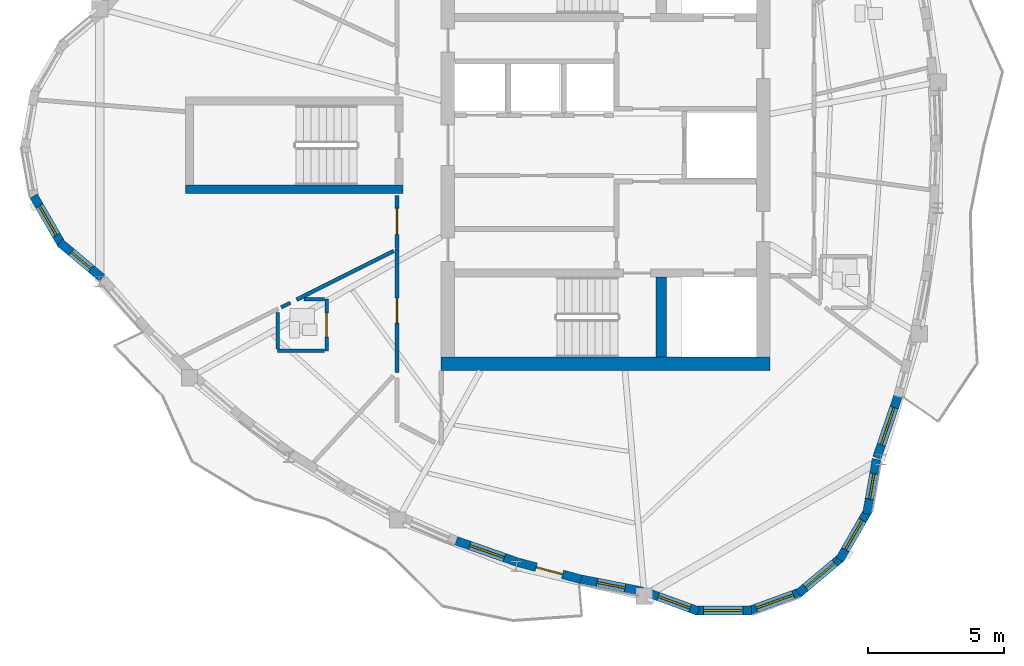
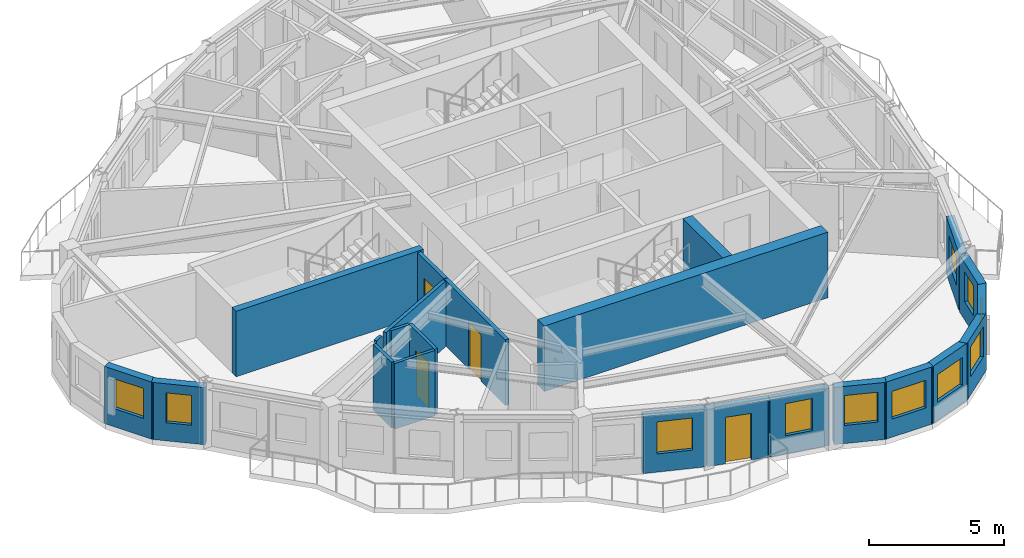
# One storey, part 3 of 12: 23 walls, 11 windows, 4 doors, 15 openings.
"""IFC4 building model written with IfcOpenShell, lengths in metres."""

from ifc_helpers import new_model, si_unit, direction, frame, frame_2d, origin, place, context, subcontext, project, spatial, rectangle, extrude, source, transform, mapped, material, layer, layer_set, type_object, element, fill, save


model = new_model("IFC4")

# Units and contexts
model_context = context("Model", 3, precision=1e-05, world=origin(), true_north=direction((0.0, 1.0)))
body_context = subcontext(model_context, "Body", "Model", "MODEL_VIEW")
ifc_project = project(units=[si_unit("LENGTHUNIT", "METRE"), si_unit("AREAUNIT", "SQUARE_METRE"), si_unit("VOLUMEUNIT", "CUBIC_METRE"), si_unit("PLANEANGLEUNIT", "RADIAN"), si_unit("MASSUNIT", "GRAM", prefix="KILO")], contexts=[model_context])

# Site, building, storey
site_placement = place(None, origin())
site = spatial("IfcSite", under=ifc_project, at=site_placement, CompositionType="ELEMENT")
building_placement = place(site_placement, origin())
building = spatial("IfcBuilding", under=site, at=building_placement, Name="Qafzar Sky-Pleat Residences", CompositionType="ELEMENT")
storey_placement = place(building_placement, frame((0.0, 0.0, 198.800048828125)))
storey = spatial("IfcBuildingStorey", under=building, at=storey_placement, Name="L59", CompositionType="ELEMENT", Elevation=198.800048828125)

# Wall, opening, door
ifc_material_1 = material(Name="Acoustic gypsum plasterboard partition", Category="gypsum")
ifc_layer_1 = layer(ifc_material_1, 0.159912109375)
ifc_layer_set_1 = layer_set([ifc_layer_1], Name="Acoustic gypsum plasterboard partition")
wall_type_1 = type_object("IfcWallType", Name="PART-COR-160", PredefinedType="PARTITIONING", material=ifc_layer_set_1)
wall_1_placement = place(storey_placement, frame((22.679931640625, 17.64111328125, 0.0), z_axis=(0.0, 0.0, 1.0), x_axis=(0.0, 1.0, 0.0)))
wall_1 = element("IfcWall", 1, at=wall_1_placement, inside=storey, type_object=wall_type_1, Name="L59 Partition Wall PART-L59-PW-003", PredefinedType="PARTITIONING", context=body_context, shape_type="SweptSolid", body=[
    extrude(rectangle(XDim=4.539794921875, YDim=0.159912109375, at=frame_2d((2.27001953125, 0.0))), origin(), (0.0, 0.0, 1.0), 2.9599609375),
])
opening_1_placement = place(wall_1_placement, frame((1.81298828125, 0.0, 0.0)))
opening_1 = element("IfcOpeningElement", 2, at=opening_1_placement, cuts=wall_1, Name="Opening ID-04", PredefinedType="OPENING", context=body_context, shape_type="SweptSolid", body=[
    extrude(rectangle(XDim=0.919921875, YDim=2.10009765625, at=frame_2d((0.4599609375, 1.050048828125))), frame((0.0, 0.08984375, 0.0), z_axis=(0.0, -1.0, 0.0), x_axis=(1.0, 0.0, 0.0)), (0.0, 0.0, 1.0), 0.179931640625),
])
ifc_material_2 = material(Name="Timber-faced fire door", Category="wood")
door_type_1 = type_object("IfcDoorType", Name="DR-BED-920", OperationType="NOTDEFINED", PredefinedType="DOOR", material=ifc_material_2)
shared_shape_1 = source(origin(), body_context, "Body", "SweptSolid", [
    extrude(rectangle(XDim=0.919921875, YDim=2.10009765625, at=frame_2d((0.4599609375, 1.050048828125))), frame((0.0, 0.02490234375, 0.0), z_axis=(0.0, -1.0, 0.0), x_axis=(1.0, 0.0, 0.0)), (0.0, 0.0, 1.0), 0.050048828125),
])
door_1_placement = place(opening_1_placement, origin())
door_1 = element("IfcDoor", 3, at=door_1_placement, inside=storey, type_object=door_type_1, Name="L59 Co-Living Bedroom 1 Door", OperationType="SINGLE_SWING_RIGHT", OverallHeight=2.10009765625, OverallWidth=0.919921875, PredefinedType="DOOR", context=body_context, shape_type="MappedRepresentation", body=[
    mapped(shared_shape_1, transform((0.0, 0.0, 0.0), x_axis=(1.0, 0.0, 0.0), y_axis=(0.0, 1.0, 0.0), z_axis=(0.0, 0.0, 1.0), scale=1.0)),
])
fill(opening_1, door_1)

wall_2_placement = place(storey_placement, frame((22.679931640625, 22.196044921875, 0.0), z_axis=(0.0, 0.0, 1.0), x_axis=(0.0, 1.0, 0.0)))
wall_2 = element("IfcWall", 4, at=wall_2_placement, inside=storey, type_object=wall_type_1, Name="L59 Partition Wall PART-L59-PW-011", PredefinedType="PARTITIONING", context=body_context, shape_type="SweptSolid", body=[
    extrude(rectangle(XDim=1.953857421875, YDim=0.159912109375, at=frame_2d((0.97705078125, 0.0))), origin(), (0.0, 0.0, 1.0), 2.9599609375),
])
opening_2_placement = place(wall_2_placement, frame((0.51904296875, 0.0, 0.0)))
opening_2 = element("IfcOpeningElement", 5, at=opening_2_placement, cuts=wall_2, Name="Opening ID-06", PredefinedType="OPENING", context=body_context, shape_type="SweptSolid", body=[
    extrude(rectangle(XDim=0.9599609375, YDim=2.10009765625, at=frame_2d((0.47998046875, 1.050048828125))), frame((0.0, 0.08984375, 0.0), z_axis=(0.0, -1.0, 0.0), x_axis=(1.0, 0.0, 0.0)), (0.0, 0.0, 1.0), 0.179931640625),
])
door_type_2 = type_object("IfcDoorType", Name="DR-STD-960", OperationType="NOTDEFINED", PredefinedType="DOOR", material=ifc_material_2)
shared_shape_2 = source(origin(), body_context, "Body", "SweptSolid", [
    extrude(rectangle(XDim=0.9599609375, YDim=2.10009765625, at=frame_2d((0.47998046875, 1.050048828125))), frame((0.0, 0.02490234375, 0.0), z_axis=(0.0, -1.0, 0.0), x_axis=(1.0, 0.0, 0.0)), (0.0, 0.0, 1.0), 0.050048828125),
])
door_2_placement = place(opening_2_placement, origin())
door_2 = element("IfcDoor", 6, at=door_2_placement, inside=storey, type_object=door_type_2, Name="L59 Wellness Yoga Studio Door", OperationType="SINGLE_SWING_RIGHT", OverallHeight=2.10009765625, OverallWidth=0.9599609375, PredefinedType="DOOR", context=body_context, shape_type="MappedRepresentation", body=[
    mapped(shared_shape_2, transform((0.0, 0.0, 0.0), x_axis=(1.0, 0.0, 0.0), y_axis=(0.0, 1.0, 0.0), z_axis=(0.0, 0.0, 1.0), scale=1.0)),
])
fill(opening_2, door_2)

# Wall
ifc_layer_2 = layer(ifc_material_1, 0.14501953125)
ifc_layer_set_2 = layer_set([ifc_layer_2], Name="Acoustic gypsum plasterboard partition")
wall_type_2 = type_object("IfcWallType", Name="PART-UNIT-145", PredefinedType="PARTITIONING", material=ifc_layer_set_2)
wall_3_placement = place(storey_placement, frame((18.98291015625, 20.31591796875, 0.0), z_axis=(0.0, 0.0, 1.0), x_axis=(0.894366146285, 0.447335664104, 0.0)))
element("IfcWall", 7, at=wall_3_placement, inside=storey, type_object=wall_type_2, Name="L59 Partition Wall PART-L59-PW-024", PredefinedType="PARTITIONING", context=body_context, shape_type="SweptSolid", body=[
    extrude(rectangle(XDim=4.0, YDim=0.14501953125, at=frame_2d((2.0, 0.0))), origin(), (0.0, 0.0, 1.0), 2.9599609375),
])

# Wall, opening, door
ifc_material_3 = material(Name="Moisture-resistant gypsum partition", Category="gypsum")
ifc_layer_3 = layer(ifc_material_3, 0.1298828125)
ifc_layer_set_3 = layer_set([ifc_layer_3], Name="Moisture-resistant gypsum partition")
wall_type_3 = type_object("IfcWallType", Name="PART-WET-130", PredefinedType="PARTITIONING", material=ifc_layer_set_3)
wall_4_placement = place(storey_placement, frame((20.087890625, 18.430908203125, 0.0), z_axis=(0.0, 0.0, 1.0), x_axis=(0.0, 1.0, 0.0)))
wall_4 = element("IfcWall", 8, at=wall_4_placement, inside=storey, type_object=wall_type_3, Name="L59 Partition Wall PART-L59-PW-012", PredefinedType="PARTITIONING", context=body_context, shape_type="SweptSolid", body=[
    extrude(rectangle(XDim=1.900146484375, YDim=0.1298828125, at=frame_2d((0.9501953125, 0.0))), origin(), (0.0, 0.0, 1.0), 2.9599609375),
])
opening_3_placement = place(wall_4_placement, frame((0.510009765625, 0.0, 0.0)))
opening_3 = element("IfcOpeningElement", 9, at=opening_3_placement, cuts=wall_4, Name="Opening ID-07", PredefinedType="OPENING", context=body_context, shape_type="SweptSolid", body=[
    extrude(rectangle(XDim=0.8798828125, YDim=2.050048828125, at=frame_2d((0.43994140625, 1.02490234375))), frame((0.0, 0.074951171875, 0.0), z_axis=(0.0, -1.0, 0.0), x_axis=(1.0, 0.0, 0.0)), (0.0, 0.0, 1.0), 0.14990234375),
])
door_type_3 = type_object("IfcDoorType", Name="DR-WET-880", OperationType="NOTDEFINED", PredefinedType="DOOR", material=ifc_material_2)
shared_shape_3 = source(origin(), body_context, "Body", "SweptSolid", [
    extrude(rectangle(XDim=0.8798828125, YDim=2.050048828125, at=frame_2d((0.43994140625, 1.02490234375))), frame((0.0, 0.02490234375, 0.0), z_axis=(0.0, -1.0, 0.0), x_axis=(1.0, 0.0, 0.0)), (0.0, 0.0, 1.0), 0.050048828125),
])
door_3_placement = place(opening_3_placement, origin())
door_3 = element("IfcDoor", 10, at=door_3_placement, inside=storey, type_object=door_type_3, Name="L59 En-suite Bathroom 1 Door", OperationType="SINGLE_SWING_LEFT", OverallHeight=2.050048828125, OverallWidth=0.8798828125, PredefinedType="DOOR", context=body_context, shape_type="MappedRepresentation", body=[
    mapped(shared_shape_3, transform((0.0, 0.0, 0.0), x_axis=(1.0, 0.0, 0.0), y_axis=(0.0, 1.0, 0.0), z_axis=(0.0, 0.0, 1.0), scale=1.0)),
])
fill(opening_3, door_3)

# Walls
wall_5_placement = place(storey_placement, frame((18.2880859375, 18.430908203125, 0.0), z_axis=(0.0, 0.0, 1.0), x_axis=(1.0, 0.0, 0.0)))
element("IfcWall", 11, at=wall_5_placement, inside=storey, type_object=wall_type_3, Name="L59 Partition Wall PART-L59-PW-034", PredefinedType="PARTITIONING", context=body_context, shape_type="SweptSolid", body=[
    extrude(rectangle(XDim=1.726806640625, YDim=0.1298828125, at=frame_2d((0.86328125, 0.0))), origin(), (0.0, 0.0, 1.0), 2.9599609375),
])
wall_6_placement = place(storey_placement, frame((18.2880859375, 18.50390625, 0.0), z_axis=(0.0, 0.0, 1.0), x_axis=(0.0, 1.0, 0.0)))
element("IfcWall", 12, at=wall_6_placement, inside=storey, type_object=wall_type_3, Name="L59 Partition Wall PART-L59-PW-042", PredefinedType="PARTITIONING", context=body_context, shape_type="SweptSolid", body=[
    extrude(rectangle(XDim=1.343505859375, YDim=0.1298828125, at=frame_2d((0.671875, 0.0))), origin(), (0.0, 0.0, 1.0), 2.9599609375),
])
wall_7_placement = place(storey_placement, frame((19.2529296875, 20.3310546875, 0.0), z_axis=(0.0, 0.0, 1.0), x_axis=(1.0, 0.0, 0.0)))
element("IfcWall", 13, at=wall_7_placement, inside=storey, type_object=wall_type_3, Name="L59 Partition Wall PART-L59-PW-048", PredefinedType="PARTITIONING", context=body_context, shape_type="SweptSolid", body=[
    extrude(rectangle(XDim=0.761962890625, YDim=0.1298828125, at=frame_2d((0.380859375, 0.0))), origin(), (0.0, 0.0, 1.0), 2.9599609375),
])
wall_8_placement = place(storey_placement, frame((18.41748046875, 20.033203125, 0.0), z_axis=(0.0, 0.0, 1.0), x_axis=(0.894427191, 0.4472135955, 0.0)))
element("IfcWall", 14, at=wall_8_placement, inside=storey, type_object=wall_type_3, Name="L59 Partition Wall PART-L59-PW-049", PredefinedType="PARTITIONING", context=body_context, shape_type="SweptSolid", body=[
    extrude(rectangle(XDim=0.377197265625, YDim=0.1298828125, at=frame_2d((0.1884765625, 0.0))), origin(), (0.0, 0.0, 1.0), 2.9599609375),
])

# Wall, opening, window
ifc_material_4 = material(Name="Precast concrete C40/50 with honed Riyadh limestone", Category="concrete")
ifc_layer_4 = layer(ifc_material_4, 0.320068359375)
ifc_layer_set_4 = layer_set([ifc_layer_4], Name="Precast concrete C40/50 with honed Riyadh limestone")
wall_type_4 = type_object("IfcWallType", Name="WALL-EXT-320", PredefinedType="SOLIDWALL", material=ifc_layer_set_4)
wall_9_placement = place(storey_placement, frame((9.309326171875, 24.129150390625, 0.0), z_axis=(0.0, 0.0, 1.0), x_axis=(0.499995423472, -0.866028046028, 0.0)))
wall_9 = element("IfcWall", 15, at=wall_9_placement, inside=storey, type_object=wall_type_4, Name="L59 Limestone Facade Wall 5", PredefinedType="SOLIDWALL", context=body_context, shape_type="SweptSolid", body=[
    extrude(rectangle(XDim=2.09033203125, YDim=0.320068359375, at=frame_2d((1.045166015625, 0.0))), origin(), (0.0, 0.0, 1.0), 2.579833984375),
])
opening_4_placement = place(wall_9_placement, frame((0.420166015625, 0.0, 0.820068359375)))
opening_4 = element("IfcOpeningElement", 16, at=opening_4_placement, cuts=wall_9, Name="Opening WN-11", PredefinedType="OPENING", context=body_context, shape_type="SweptSolid", body=[
    extrude(rectangle(XDim=1.25, YDim=1.35009765625, at=frame_2d((0.625, 0.675048828125))), frame((0.0, 0.169921875, 0.0), z_axis=(0.0, -1.0, 0.0), x_axis=(1.0, 0.0, 0.0)), (0.0, 0.0, 1.0), 0.340087890625),
])
ifc_material_5 = material(Name="Solar-control low-E glass in bronze aluminium frame", Category="glass")
window_type_1 = type_object("IfcWindowType", Name="WIN-11", PartitioningType="SINGLE_PANEL", PredefinedType="WINDOW", material=ifc_material_5)
shared_shape_4 = source(origin(), body_context, "Body", "SweptSolid", [
    extrude(rectangle(XDim=1.25, YDim=1.35009765625, at=frame_2d((0.625, 0.675048828125))), frame((0.0, 0.030029296875, 0.0), z_axis=(0.0, -1.0, 0.0), x_axis=(1.0, 0.0, 0.0)), (0.0, 0.0, 1.0), 0.06005859375),
])
window_1_placement = place(opening_4_placement, origin())
window_1 = element("IfcWindow", 17, at=window_1_placement, inside=storey, type_object=window_type_1, Name="L59 Punched Facade Window 05", OverallHeight=1.35009765625, OverallWidth=1.25, PartitioningType="SINGLE_PANEL", PredefinedType="WINDOW", context=body_context, shape_type="MappedRepresentation", body=[
    mapped(shared_shape_4, transform((0.0, 0.0, 0.0), x_axis=(1.0, 0.0, 0.0), y_axis=(0.0, 1.0, 0.0), z_axis=(0.0, 0.0, 1.0), scale=1.0)),
])
fill(opening_4, window_1)

wall_10_placement = place(storey_placement, frame((10.2705078125, 22.418701171875, 0.0), z_axis=(0.0, 0.0, 1.0), x_axis=(0.766099948115, -0.642721455608, 0.0)))
wall_10 = element("IfcWall", 18, at=wall_10_placement, inside=storey, type_object=wall_type_4, Name="L59 Limestone Facade Wall 6", PredefinedType="SOLIDWALL", context=body_context, shape_type="SweptSolid", body=[
    extrude(rectangle(XDim=2.0322265625, YDim=0.320068359375, at=frame_2d((1.01611328125, 0.0))), origin(), (0.0, 0.0, 1.0), 2.579833984375),
])
opening_5_placement = place(wall_10_placement, frame((0.55126953125, 0.0, 0.820068359375)))
opening_5 = element("IfcOpeningElement", 19, at=opening_5_placement, cuts=wall_10, Name="Opening WN-12", PredefinedType="OPENING", context=body_context, shape_type="SweptSolid", body=[
    extrude(rectangle(XDim=0.949951171875, YDim=1.35009765625, at=frame_2d((0.47509765625, 0.675048828125))), frame((0.0, 0.169921875, 0.0), z_axis=(0.0, -1.0, 0.0), x_axis=(1.0, 0.0, 0.0)), (0.0, 0.0, 1.0), 0.340087890625),
])
window_type_2 = type_object("IfcWindowType", Name="WIN-12", PartitioningType="SINGLE_PANEL", PredefinedType="WINDOW", material=ifc_material_5)
shared_shape_5 = source(origin(), body_context, "Body", "SweptSolid", [
    extrude(rectangle(XDim=0.949951171875, YDim=1.35009765625, at=frame_2d((0.47509765625, 0.675048828125))), frame((0.0, 0.030029296875, 0.0), z_axis=(0.0, -1.0, 0.0), x_axis=(1.0, 0.0, 0.0)), (0.0, 0.0, 1.0), 0.06005859375),
])
window_2_placement = place(opening_5_placement, origin())
window_2 = element("IfcWindow", 20, at=window_2_placement, inside=storey, type_object=window_type_2, Name="L59 Punched Facade Window 06", OverallHeight=1.35009765625, OverallWidth=0.949951171875, PartitioningType="SINGLE_PANEL", PredefinedType="WINDOW", context=body_context, shape_type="MappedRepresentation", body=[
    mapped(shared_shape_5, transform((0.0, 0.0, 0.0), x_axis=(1.0, 0.0, 0.0), y_axis=(0.0, 1.0, 0.0), z_axis=(0.0, 0.0, 1.0), scale=1.0)),
])
fill(opening_5, window_2)

wall_11_placement = place(storey_placement, frame((24.861572265625, 11.4423828125, 0.0), z_axis=(0.0, 0.0, 1.0), x_axis=(0.944124270014, -0.329589688508, 0.0)))
wall_11 = element("IfcWall", 21, at=wall_11_placement, inside=storey, type_object=wall_type_4, Name="L59 Limestone Facade Wall 14", PredefinedType="SOLIDWALL", context=body_context, shape_type="SweptSolid", body=[
    extrude(rectangle(XDim=2.373291015625, YDim=0.320068359375, at=frame_2d((1.1865234375, 0.0))), origin(), (0.0, 0.0, 1.0), 2.579833984375),
])
opening_6_placement = place(wall_11_placement, frame((0.521728515625, 0.0, 0.820068359375)))
opening_6 = element("IfcOpeningElement", 22, at=opening_6_placement, cuts=wall_11, Name="Opening WN-04", PredefinedType="OPENING", context=body_context, shape_type="SweptSolid", body=[
    extrude(rectangle(XDim=1.35009765625, YDim=1.449951171875, at=frame_2d((0.675048828125, 0.72509765625))), frame((0.0, 0.169921875, 0.0), z_axis=(0.0, -1.0, 0.0), x_axis=(1.0, 0.0, 0.0)), (0.0, 0.0, 1.0), 0.340087890625),
])
window_type_3 = type_object("IfcWindowType", Name="WIN-04", PartitioningType="SINGLE_PANEL", PredefinedType="WINDOW", material=ifc_material_5)
shared_shape_6 = source(origin(), body_context, "Body", "SweptSolid", [
    extrude(rectangle(XDim=1.35009765625, YDim=1.449951171875, at=frame_2d((0.675048828125, 0.72509765625))), frame((0.0, 0.030029296875, 0.0), z_axis=(0.0, -1.0, 0.0), x_axis=(1.0, 0.0, 0.0)), (0.0, 0.0, 1.0), 0.06005859375),
])
window_3_placement = place(opening_6_placement, origin())
window_3 = element("IfcWindow", 23, at=window_3_placement, inside=storey, type_object=window_type_3, Name="L59 Punched Facade Window 14", OverallHeight=1.449951171875, OverallWidth=1.35009765625, PartitioningType="SINGLE_PANEL", PredefinedType="WINDOW", context=body_context, shape_type="MappedRepresentation", body=[
    mapped(shared_shape_6, transform((0.0, 0.0, 0.0), x_axis=(1.0, 0.0, 0.0), y_axis=(0.0, 1.0, 0.0), z_axis=(0.0, 0.0, 1.0), scale=1.0)),
])
fill(opening_6, window_3)

# Wall, opening, door
wall_12_placement = place(storey_placement, frame((27.12939453125, 10.65185546875, 0.0), z_axis=(0.0, 0.0, 1.0), x_axis=(0.965456324807, -0.260564934114, 0.0)))
wall_12 = element("IfcWall", 24, at=wall_12_placement, inside=storey, type_object=wall_type_4, Name="L59 Limestone Facade Wall 15", PredefinedType="SOLIDWALL", context=body_context, shape_type="SweptSolid", body=[
    extrude(rectangle(XDim=2.41259765625, YDim=0.320068359375, at=frame_2d((1.206298828125, 0.0))), origin(), (0.0, 0.0, 1.0), 2.579833984375),
])
opening_7_placement = place(wall_12_placement, frame((0.6962890625, 0.0, 0.0)))
opening_7 = element("IfcOpeningElement", 25, at=opening_7_placement, cuts=wall_12, Name="Opening ED-05", PredefinedType="OPENING", context=body_context, shape_type="SweptSolid", body=[
    extrude(rectangle(XDim=1.0, YDim=2.10009765625, at=frame_2d((0.5, 1.050048828125))), frame((0.0, 0.169921875, 0.0), z_axis=(0.0, -1.0, 0.0), x_axis=(1.0, 0.0, 0.0)), (0.0, 0.0, 1.0), 0.340087890625),
])
ifc_material_6 = material(Name="Glazed bronze aluminium door", Category="aluminium")
door_type_4 = type_object("IfcDoorType", Name="DR-BAL-1000", OperationType="NOTDEFINED", PredefinedType="DOOR", material=ifc_material_6)
shared_shape_7 = source(origin(), body_context, "Body", "SweptSolid", [
    extrude(rectangle(XDim=1.0, YDim=2.10009765625, at=frame_2d((0.5, 1.050048828125))), frame((0.0, 0.02490234375, 0.0), z_axis=(0.0, -1.0, 0.0), x_axis=(1.0, 0.0, 0.0)), (0.0, 0.0, 1.0), 0.050048828125),
])
door_4_placement = place(opening_7_placement, origin())
door_4 = element("IfcDoor", 26, at=door_4_placement, inside=storey, type_object=door_type_4, Name="L59 Glazed Balcony Door 3", OperationType="SINGLE_SWING_LEFT", OverallHeight=2.10009765625, OverallWidth=1.0, PredefinedType="DOOR", context=body_context, shape_type="MappedRepresentation", body=[
    mapped(shared_shape_7, transform((0.0, 0.0, 0.0), x_axis=(1.0, 0.0, 0.0), y_axis=(0.0, 1.0, 0.0), z_axis=(0.0, 0.0, 1.0), scale=1.0)),
])
fill(opening_7, door_4)

# Wall, opening, window
wall_13_placement = place(storey_placement, frame((29.373779296875, 10.04296875, 0.0), z_axis=(0.0, 0.0, 1.0), x_axis=(0.981222630784, -0.192878585739, 0.0)))
wall_13 = element("IfcWall", 27, at=wall_13_placement, inside=storey, type_object=wall_type_4, Name="L59 Limestone Facade Wall 16", PredefinedType="SOLIDWALL", context=body_context, shape_type="SweptSolid", body=[
    extrude(rectangle(XDim=2.3935546875, YDim=0.320068359375, at=frame_2d((1.19677734375, 0.0))), origin(), (0.0, 0.0, 1.0), 2.579833984375),
])
opening_8_placement = place(wall_13_placement, frame((0.6767578125, 0.0, 0.820068359375)))
opening_8 = element("IfcOpeningElement", 28, at=opening_8_placement, cuts=wall_13, Name="Opening WN-06", PredefinedType="OPENING", context=body_context, shape_type="SweptSolid", body=[
    extrude(rectangle(XDim=1.050048828125, YDim=1.449951171875, at=frame_2d((0.52490234375, 0.72509765625))), frame((0.0, 0.169921875, 0.0), z_axis=(0.0, -1.0, 0.0), x_axis=(1.0, 0.0, 0.0)), (0.0, 0.0, 1.0), 0.340087890625),
])
window_type_4 = type_object("IfcWindowType", Name="WIN-06", PartitioningType="SINGLE_PANEL", PredefinedType="WINDOW", material=ifc_material_5)
shared_shape_8 = source(origin(), body_context, "Body", "SweptSolid", [
    extrude(rectangle(XDim=1.050048828125, YDim=1.449951171875, at=frame_2d((0.52490234375, 0.72509765625))), frame((0.0, 0.030029296875, 0.0), z_axis=(0.0, -1.0, 0.0), x_axis=(1.0, 0.0, 0.0)), (0.0, 0.0, 1.0), 0.06005859375),
])
window_4_placement = place(opening_8_placement, origin())
window_4 = element("IfcWindow", 29, at=window_4_placement, inside=storey, type_object=window_type_4, Name="L59 Punched Facade Window 16", OverallHeight=1.449951171875, OverallWidth=1.050048828125, PartitioningType="SINGLE_PANEL", PredefinedType="WINDOW", context=body_context, shape_type="MappedRepresentation", body=[
    mapped(shared_shape_8, transform((0.0, 0.0, 0.0), x_axis=(1.0, 0.0, 0.0), y_axis=(0.0, 1.0, 0.0), z_axis=(0.0, 0.0, 1.0), scale=1.0)),
])
fill(opening_8, window_4)

wall_14_placement = place(storey_placement, frame((31.919189453125, 9.526611328125, 0.0), z_axis=(0.0, 0.0, 1.0), x_axis=(0.939695306975, -0.342012762991, 0.0)))
wall_14 = element("IfcWall", 30, at=wall_14_placement, inside=storey, type_object=wall_type_4, Name="L59 Limestone Facade Wall 17", PredefinedType="SOLIDWALL", context=body_context, shape_type="SweptSolid", body=[
    extrude(rectangle(XDim=1.96240234375, YDim=0.320068359375, at=frame_2d((0.981201171875, 0.0))), origin(), (0.0, 0.0, 1.0), 2.579833984375),
])
opening_9_placement = place(wall_14_placement, frame((0.39111328125, 0.0, 0.820068359375)))
opening_9 = element("IfcOpeningElement", 31, at=opening_9_placement, cuts=wall_14, Name="Opening WN-11", PredefinedType="OPENING", context=body_context, shape_type="SweptSolid", body=[
    extrude(rectangle(XDim=1.25, YDim=1.35009765625, at=frame_2d((0.625, 0.675048828125))), frame((0.0, 0.169921875, 0.0), z_axis=(0.0, -1.0, 0.0), x_axis=(1.0, 0.0, 0.0)), (0.0, 0.0, 1.0), 0.340087890625),
])
window_5_placement = place(opening_9_placement, origin())
window_5 = element("IfcWindow", 32, at=window_5_placement, inside=storey, type_object=window_type_1, Name="L59 Punched Facade Window 17", OverallHeight=1.35009765625, OverallWidth=1.25, PartitioningType="SINGLE_PANEL", PredefinedType="WINDOW", context=body_context, shape_type="MappedRepresentation", body=[
    mapped(shared_shape_4, transform((0.0, 0.0, 0.0), x_axis=(1.0, 0.0, 0.0), y_axis=(0.0, 1.0, 0.0), z_axis=(0.0, 0.0, 1.0), scale=1.0)),
])
fill(opening_9, window_5)

wall_15_placement = place(storey_placement, frame((33.634765625, 8.8779296875, 0.0), z_axis=(0.0, 0.0, 1.0), x_axis=(1.0, 0.0, 0.0)))
wall_15 = element("IfcWall", 33, at=wall_15_placement, inside=storey, type_object=wall_type_4, Name="L59 Limestone Facade Wall 18", PredefinedType="SOLIDWALL", context=body_context, shape_type="SweptSolid", body=[
    extrude(rectangle(XDim=2.09033203125, YDim=0.320068359375, at=frame_2d((1.045166015625, 0.0))), origin(), (0.0, 0.0, 1.0), 2.579833984375),
])
opening_10_placement = place(wall_15_placement, frame((0.3203125, 0.0, 0.820068359375)))
opening_10 = element("IfcOpeningElement", 34, at=opening_10_placement, cuts=wall_15, Name="Opening WN-15", PredefinedType="OPENING", context=body_context, shape_type="SweptSolid", body=[
    extrude(rectangle(XDim=1.449951171875, YDim=1.25, at=frame_2d((0.72509765625, 0.625))), frame((0.0, 0.169921875, 0.0), z_axis=(0.0, -1.0, 0.0), x_axis=(1.0, 0.0, 0.0)), (0.0, 0.0, 1.0), 0.340087890625),
])
window_type_5 = type_object("IfcWindowType", Name="WIN-15", PartitioningType="SINGLE_PANEL", PredefinedType="WINDOW", material=ifc_material_5)
shared_shape_9 = source(origin(), body_context, "Body", "SweptSolid", [
    extrude(rectangle(XDim=1.449951171875, YDim=1.25, at=frame_2d((0.72509765625, 0.625))), frame((0.0, 0.030029296875, 0.0), z_axis=(0.0, -1.0, 0.0), x_axis=(1.0, 0.0, 0.0)), (0.0, 0.0, 1.0), 0.06005859375),
])
window_6_placement = place(opening_10_placement, origin())
window_6 = element("IfcWindow", 35, at=window_6_placement, inside=storey, type_object=window_type_5, Name="L59 Punched Facade Window 18", OverallHeight=1.25, OverallWidth=1.449951171875, PartitioningType="SINGLE_PANEL", PredefinedType="WINDOW", context=body_context, shape_type="MappedRepresentation", body=[
    mapped(shared_shape_9, transform((0.0, 0.0, 0.0), x_axis=(1.0, 0.0, 0.0), y_axis=(0.0, 1.0, 0.0), z_axis=(0.0, 0.0, 1.0), scale=1.0)),
])
fill(opening_10, window_6)

wall_16_placement = place(storey_placement, frame((35.5966796875, 8.85546875, 0.0), z_axis=(0.0, 0.0, 1.0), x_axis=(0.939711556618, 0.341968113072, 0.0)))
wall_16 = element("IfcWall", 36, at=wall_16_placement, inside=storey, type_object=wall_type_4, Name="L59 Limestone Facade Wall 19", PredefinedType="SOLIDWALL", context=body_context, shape_type="SweptSolid", body=[
    extrude(rectangle(XDim=2.09033203125, YDim=0.320068359375, at=frame_2d((1.045166015625, 0.0))), origin(), (0.0, 0.0, 1.0), 2.579833984375),
])
opening_11_placement = place(wall_16_placement, frame((0.3203125, 0.0, 0.820068359375)))
opening_11 = element("IfcOpeningElement", 37, at=opening_11_placement, cuts=wall_16, Name="Opening WN-15", PredefinedType="OPENING", context=body_context, shape_type="SweptSolid", body=[
    extrude(rectangle(XDim=1.449951171875, YDim=1.25, at=frame_2d((0.72509765625, 0.625))), frame((0.0, 0.169921875, 0.0), z_axis=(0.0, -1.0, 0.0), x_axis=(1.0, 0.0, 0.0)), (0.0, 0.0, 1.0), 0.340087890625),
])
window_7_placement = place(opening_11_placement, origin())
window_7 = element("IfcWindow", 38, at=window_7_placement, inside=storey, type_object=window_type_5, Name="L59 Punched Facade Window 19", OverallHeight=1.25, OverallWidth=1.449951171875, PartitioningType="SINGLE_PANEL", PredefinedType="WINDOW", context=body_context, shape_type="MappedRepresentation", body=[
    mapped(shared_shape_9, transform((0.0, 0.0, 0.0), x_axis=(1.0, 0.0, 0.0), y_axis=(0.0, 1.0, 0.0), z_axis=(0.0, 0.0, 1.0), scale=1.0)),
])
fill(opening_11, window_7)

wall_17_placement = place(storey_placement, frame((37.447998046875, 9.505126953125, 0.0), z_axis=(0.0, 0.0, 1.0), x_axis=(0.766082082368, 0.642742750308, 0.0)))
wall_17 = element("IfcWall", 39, at=wall_17_placement, inside=storey, type_object=wall_type_4, Name="L59 Limestone Facade Wall 20", PredefinedType="SOLIDWALL", context=body_context, shape_type="SweptSolid", body=[
    extrude(rectangle(XDim=2.09033203125, YDim=0.320068359375, at=frame_2d((1.045166015625, 0.0))), origin(), (0.0, 0.0, 1.0), 2.579833984375),
])
opening_12_placement = place(wall_17_placement, frame((0.34521484375, 0.0, 0.820068359375)))
opening_12 = element("IfcOpeningElement", 40, at=opening_12_placement, cuts=wall_17, Name="Opening WN-10", PredefinedType="OPENING", context=body_context, shape_type="SweptSolid", body=[
    extrude(rectangle(XDim=1.39990234375, YDim=1.35009765625, at=frame_2d((0.699951171875, 0.675048828125))), frame((0.0, 0.169921875, 0.0), z_axis=(0.0, -1.0, 0.0), x_axis=(1.0, 0.0, 0.0)), (0.0, 0.0, 1.0), 0.340087890625),
])
window_type_6 = type_object("IfcWindowType", Name="WIN-10", PartitioningType="SINGLE_PANEL", PredefinedType="WINDOW", material=ifc_material_5)
shared_shape_10 = source(origin(), body_context, "Body", "SweptSolid", [
    extrude(rectangle(XDim=1.39990234375, YDim=1.35009765625, at=frame_2d((0.699951171875, 0.675048828125))), frame((0.0, 0.030029296875, 0.0), z_axis=(0.0, -1.0, 0.0), x_axis=(1.0, 0.0, 0.0)), (0.0, 0.0, 1.0), 0.06005859375),
])
window_8_placement = place(opening_12_placement, origin())
window_8 = element("IfcWindow", 41, at=window_8_placement, inside=storey, type_object=window_type_6, Name="L59 Punched Facade Window 20", OverallHeight=1.35009765625, OverallWidth=1.39990234375, PartitioningType="SINGLE_PANEL", PredefinedType="WINDOW", context=body_context, shape_type="MappedRepresentation", body=[
    mapped(shared_shape_10, transform((0.0, 0.0, 0.0), x_axis=(1.0, 0.0, 0.0), y_axis=(0.0, 1.0, 0.0), z_axis=(0.0, 0.0, 1.0), scale=1.0)),
])
fill(opening_12, window_8)

wall_18_placement = place(storey_placement, frame((38.965576171875, 10.748779296875, 0.0), z_axis=(0.0, 0.0, 1.0), x_axis=(0.49990781971, 0.866078617559, 0.0)))
wall_18 = element("IfcWall", 42, at=wall_18_placement, inside=storey, type_object=wall_type_4, Name="L59 Limestone Facade Wall 21", PredefinedType="SOLIDWALL", context=body_context, shape_type="SweptSolid", body=[
    extrude(rectangle(XDim=2.09033203125, YDim=0.320068359375, at=frame_2d((1.045166015625, 0.0))), origin(), (0.0, 0.0, 1.0), 2.579833984375),
])
opening_13_placement = place(wall_18_placement, frame((0.420166015625, 0.0, 0.820068359375)))
opening_13 = element("IfcOpeningElement", 43, at=opening_13_placement, cuts=wall_18, Name="Opening WN-11", PredefinedType="OPENING", context=body_context, shape_type="SweptSolid", body=[
    extrude(rectangle(XDim=1.25, YDim=1.35009765625, at=frame_2d((0.625, 0.675048828125))), frame((0.0, 0.169921875, 0.0), z_axis=(0.0, -1.0, 0.0), x_axis=(1.0, 0.0, 0.0)), (0.0, 0.0, 1.0), 0.340087890625),
])
window_9_placement = place(opening_13_placement, origin())
window_9 = element("IfcWindow", 44, at=window_9_placement, inside=storey, type_object=window_type_1, Name="L59 Punched Facade Window 21", OverallHeight=1.35009765625, OverallWidth=1.25, PartitioningType="SINGLE_PANEL", PredefinedType="WINDOW", context=body_context, shape_type="MappedRepresentation", body=[
    mapped(shared_shape_4, transform((0.0, 0.0, 0.0), x_axis=(1.0, 0.0, 0.0), y_axis=(0.0, 1.0, 0.0), z_axis=(0.0, 0.0, 1.0), scale=1.0)),
])
fill(opening_13, window_9)

wall_19_placement = place(storey_placement, frame((39.966064453125, 12.4365234375, 0.0), z_axis=(0.0, 0.0, 1.0), x_axis=(0.17370309897, 0.984798067326, 0.0)))
wall_19 = element("IfcWall", 45, at=wall_19_placement, inside=storey, type_object=wall_type_4, Name="L59 Limestone Facade Wall 22", PredefinedType="SOLIDWALL", context=body_context, shape_type="SweptSolid", body=[
    extrude(rectangle(XDim=2.032470703125, YDim=0.320068359375, at=frame_2d((1.01611328125, 0.0))), origin(), (0.0, 0.0, 1.0), 2.579833984375),
])
opening_14_placement = place(wall_19_placement, frame((0.55126953125, 0.0, 0.820068359375)))
opening_14 = element("IfcOpeningElement", 46, at=opening_14_placement, cuts=wall_19, Name="Opening WN-12", PredefinedType="OPENING", context=body_context, shape_type="SweptSolid", body=[
    extrude(rectangle(XDim=0.949951171875, YDim=1.35009765625, at=frame_2d((0.47509765625, 0.675048828125))), frame((0.0, 0.169921875, 0.0), z_axis=(0.0, -1.0, 0.0), x_axis=(1.0, 0.0, 0.0)), (0.0, 0.0, 1.0), 0.340087890625),
])
window_10_placement = place(opening_14_placement, origin())
window_10 = element("IfcWindow", 47, at=window_10_placement, inside=storey, type_object=window_type_2, Name="L59 Punched Facade Window 22", OverallHeight=1.35009765625, OverallWidth=0.949951171875, PartitioningType="SINGLE_PANEL", PredefinedType="WINDOW", context=body_context, shape_type="MappedRepresentation", body=[
    mapped(shared_shape_5, transform((0.0, 0.0, 0.0), x_axis=(1.0, 0.0, 0.0), y_axis=(0.0, 1.0, 0.0), z_axis=(0.0, 0.0, 1.0), scale=1.0)),
])
fill(opening_14, window_10)

wall_20_placement = place(storey_placement, frame((40.335205078125, 14.50048828125, 0.0), z_axis=(0.0, 0.0, 1.0), x_axis=(0.323561604729, 0.946207106264, 0.0)))
wall_20 = element("IfcWall", 48, at=wall_20_placement, inside=storey, type_object=wall_type_4, Name="L59 Limestone Facade Wall 23", PredefinedType="SOLIDWALL", context=body_context, shape_type="SweptSolid", body=[
    extrude(rectangle(XDim=2.463623046875, YDim=0.320068359375, at=frame_2d((1.23193359375, 0.0))), origin(), (0.0, 0.0, 1.0), 2.579833984375),
])
opening_15_placement = place(wall_20_placement, frame((0.496826171875, 0.0, 0.820068359375)))
opening_15 = element("IfcOpeningElement", 49, at=opening_15_placement, cuts=wall_20, Name="Opening WN-15", PredefinedType="OPENING", context=body_context, shape_type="SweptSolid", body=[
    extrude(rectangle(XDim=1.449951171875, YDim=1.25, at=frame_2d((0.72509765625, 0.625))), frame((0.0, 0.169921875, 0.0), z_axis=(0.0, -1.0, 0.0), x_axis=(1.0, 0.0, 0.0)), (0.0, 0.0, 1.0), 0.340087890625),
])
window_11_placement = place(opening_15_placement, origin())
window_11 = element("IfcWindow", 50, at=window_11_placement, inside=storey, type_object=window_type_5, Name="L59 Punched Facade Window 23", OverallHeight=1.25, OverallWidth=1.449951171875, PartitioningType="SINGLE_PANEL", PredefinedType="WINDOW", context=body_context, shape_type="MappedRepresentation", body=[
    mapped(shared_shape_9, transform((0.0, 0.0, 0.0), x_axis=(1.0, 0.0, 0.0), y_axis=(0.0, 1.0, 0.0), z_axis=(0.0, 0.0, 1.0), scale=1.0)),
])
fill(opening_15, window_11)

# Walls
ifc_material_7 = material(Name="Concrete C60/75", Category="concrete")
ifc_layer_5 = layer(ifc_material_7, 0.300048828125)
ifc_layer_set_5 = layer_set([ifc_layer_5], Name="Concrete C60/75")
wall_type_5 = type_object("IfcWallType", Name="WALL-SHEAR-300", PredefinedType="SHEAR", material=ifc_layer_set_5)
wall_21_placement = place(storey_placement, frame((14.89990234375, 24.375, 0.0), z_axis=(0.0, 0.0, 1.0), x_axis=(1.0, 0.0, 0.0)))
element("IfcWall", 51, at=wall_21_placement, inside=storey, type_object=wall_type_5, Name="L59 ST3 wall S", PredefinedType="SHEAR", context=body_context, shape_type="SweptSolid", body=[
    extrude(rectangle(XDim=8.0, YDim=0.300048828125, at=frame_2d((4.0, 0.0))), origin(), (0.0, 0.0, 1.0), 2.9599609375),
])
ifc_layer_6 = layer(ifc_material_7, 0.39990234375)
ifc_layer_set_6 = layer_set([ifc_layer_6], Name="Concrete C60/75")
wall_type_6 = type_object("IfcWallType", Name="WALL-SHEAR-400", PredefinedType="SHEAR", material=ifc_layer_set_6)
wall_22_placement = place(storey_placement, frame((32.39990234375, 18.199951171875, 0.0), z_axis=(0.0, 0.0, 1.0), x_axis=(0.0, 1.0, 0.0)))
element("IfcWall", 52, at=wall_22_placement, inside=storey, type_object=wall_type_6, Name="L59 Stair ST1 East Dividing Wall", PredefinedType="SHEAR", context=body_context, shape_type="SweptSolid", body=[
    extrude(rectangle(XDim=2.949951171875, YDim=0.39990234375, at=frame_2d((1.47509765625, 0.0))), origin(), (0.0, 0.0, 1.0), 2.9599609375),
])
ifc_layer_7 = layer(ifc_material_7, 0.5)
ifc_layer_set_7 = layer_set([ifc_layer_7], Name="Concrete C60/75")
wall_type_7 = type_object("IfcWallType", Name="WALL-SHEAR-500", PredefinedType="SHEAR", material=ifc_layer_set_7)
wall_23_placement = place(storey_placement, frame((24.300048828125, 17.949951171875, 0.0), z_axis=(0.0, 0.0, 1.0), x_axis=(1.0, 0.0, 0.0)))
element("IfcWall", 53, at=wall_23_placement, inside=storey, type_object=wall_type_7, Name="L59 CORE wall S", PredefinedType="SHEAR", context=body_context, shape_type="SweptSolid", body=[
    extrude(rectangle(XDim=12.099853515625, YDim=0.5, at=frame_2d((6.0498046875, 0.0))), origin(), (0.0, 0.0, 1.0), 2.9599609375),
])

save(model, "model.ifc")
